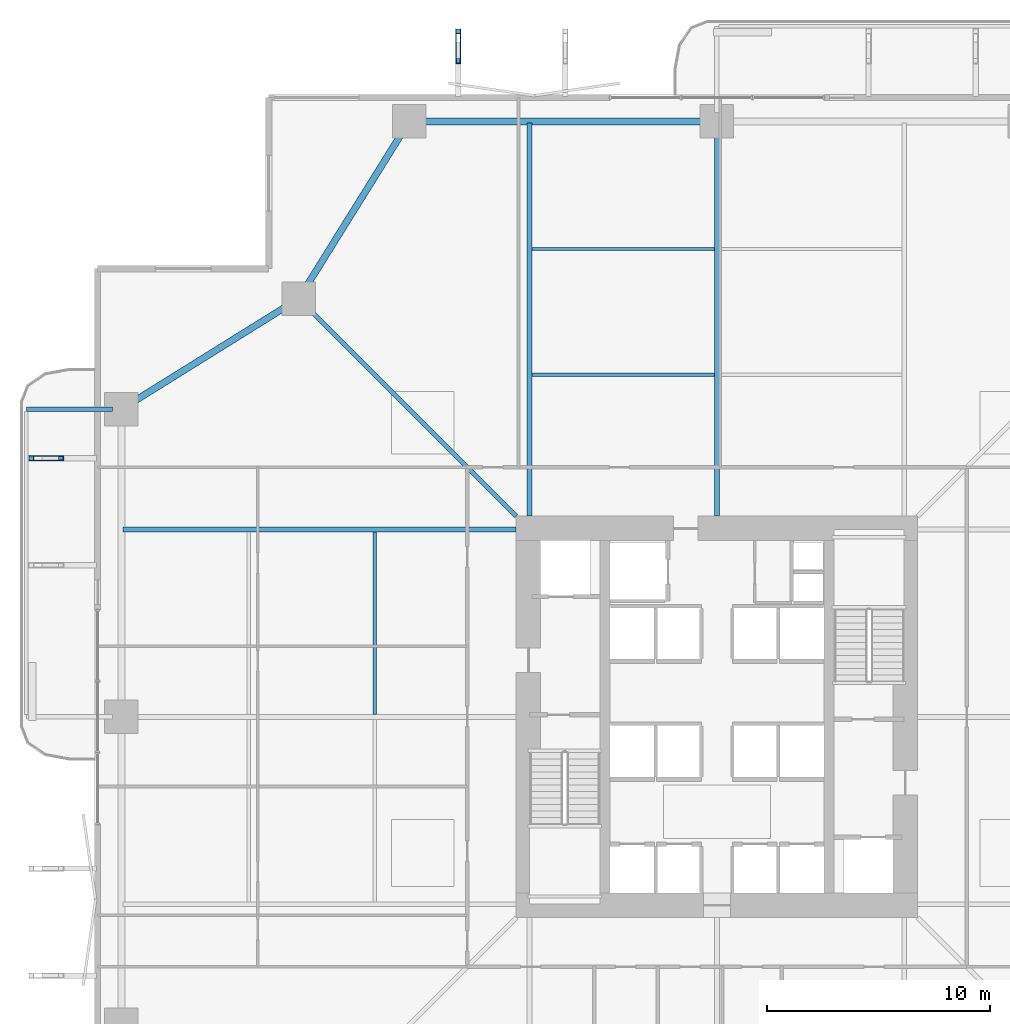
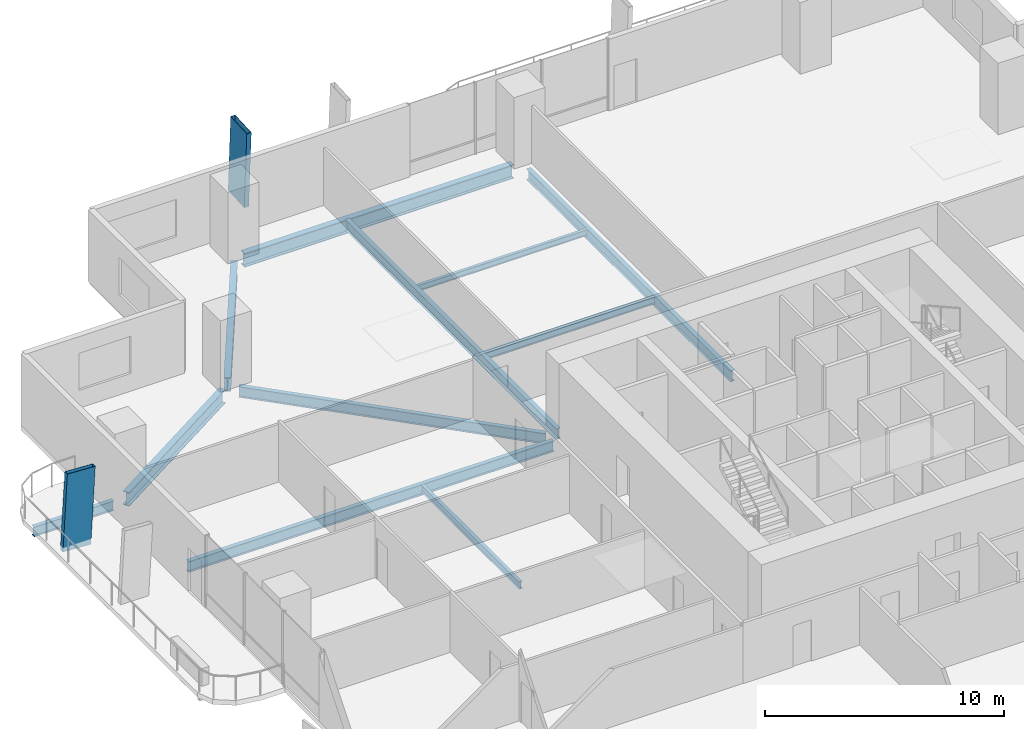
# One storey, part 10 of 23: 11 beams, 2 members.
"""IFC4 building model written with IfcOpenShell, lengths in metres."""

from ifc_helpers import new_model, si_unit, direction, frame, origin, origin_2d, place, context, subcontext, project, spatial, hollow_rectangle, i_section, extrude, material, material_profile, profile_set, type_object, element, save


model = new_model("IFC4")

# Units and contexts
model_context = context("Model", 3, precision=1e-05, world=origin(), true_north=direction((0.0, 1.0)))
body_context = subcontext(model_context, "Body", "Model", "MODEL_VIEW")
ifc_project = project(units=[si_unit("LENGTHUNIT", "METRE"), si_unit("AREAUNIT", "SQUARE_METRE"), si_unit("VOLUMEUNIT", "CUBIC_METRE"), si_unit("PLANEANGLEUNIT", "RADIAN"), si_unit("MASSUNIT", "GRAM", prefix="KILO")], contexts=[model_context])

# Site, building, storey
site_placement = place(None, origin())
site = spatial("IfcSite", under=ifc_project, at=site_placement, CompositionType="ELEMENT")
building_placement = place(site_placement, origin())
building = spatial("IfcBuilding", under=site, at=building_placement, Name="Belovzor Exchange Tower", CompositionType="ELEMENT")
storey_placement = place(building_placement, frame((0.0, 0.0, 53.39990234375)))
storey = spatial("IfcBuildingStorey", under=building, at=storey_placement, Name="L12", CompositionType="ELEMENT", Elevation=53.39990234375)

# Members
ifc_material_1 = material(Name="Extruded Architectural Terracotta on Steel S355 Carrier", Category="masonry")
ifc_material_profile_1 = material_profile(ifc_material_1, hollow_rectangle(XDim=0.219970703125, YDim=1.35009765625, WallThickness=0.013916015625, at=origin_2d()))
ifc_profile_set_1 = profile_set([ifc_material_profile_1], Name="Extruded Architectural Terracotta on Steel S355 Carrier")
member_type = type_object("IfcMemberType", Name="Base Arc Sweeping Terracotta Pylon Fin 1450", PredefinedType="USERDEFINED", material=ifc_profile_set_1)
for number, where, z_axis, x_axis, name in (
    (1, (17.199951171875, 58.97900390625, -0.25), (0.0, -0.055314244803, 0.998468995173), (1.0, 0.0, 0.0), "FIN-TC145 Terracotta Facade Fin L12 N1"),
    (2, (-1.37890625, 40.39990234375, -0.25), (0.055251933744, 0.0, 0.998472445197), (0.0, 1.0, 0.0), "FIN-TC145 Terracotta Facade Fin L12 W4"),
):
    element("IfcMember", number, at=place(storey_placement, frame(where, z_axis=z_axis, x_axis=x_axis)), inside=storey, type_object=member_type, Name=name, ObjectType="FIN", PredefinedType="USERDEFINED", context=body_context, shape_type="SweptSolid", body=[
        extrude(hollow_rectangle(XDim=0.219970703125, YDim=1.35009765625, WallThickness=0.013916015625, at=origin_2d()), origin(), (0.0, 0.0, 1.0), 3.906005859375),
    ])

# Beams
ifc_material_2 = material(Name="Steel S355", Category="steel")
ifc_material_profile_2 = material_profile(ifc_material_2, i_section(OverallWidth=0.199951171875, OverallDepth=0.5, WebThickness=0.01025390625, FlangeThickness=0.01611328125, at=origin_2d()))
ifc_profile_set_2 = profile_set([ifc_material_profile_2], Name="Steel S355")
beam_type_1 = type_object("IfcBeamType", Name="Planted Balcony Cantilever Beam IPE 500", PredefinedType="BEAM", material=ifc_profile_set_2)
beam_1_placement = place(storey_placement, frame((1.68798828125, 42.60009765625, -0.5), z_axis=(-1.0, 0.0, 0.0), x_axis=(0.0, -1.0, 0.0)))
element("IfcBeam", 3, at=beam_1_placement, inside=storey, type_object=beam_type_1, Name="BC-500 Planted Balcony Cantilever Beam IPE 500", PredefinedType="BEAM", context=body_context, shape_type="SweptSolid", body=[
    extrude(i_section(OverallWidth=0.199951171875, OverallDepth=0.5, WebThickness=0.01025390625, FlangeThickness=0.01611328125, at=origin_2d()), origin(), (0.0, 0.0, 1.0), 3.85009765625),
])
ifc_material_3 = material(Name="Steel S355", Category="steel")
ifc_material_profile_3 = material_profile(ifc_material_3, i_section(OverallWidth=0.169921875, OverallDepth=0.360107421875, WebThickness=0.008056640625, FlangeThickness=0.0126953125, at=origin_2d()))
ifc_profile_set_3 = profile_set([ifc_material_profile_3], Name="Steel S355")
beam_type_2 = type_object("IfcBeamType", Name="Secondary Infill Floor Joist IPE 360", PredefinedType="BEAM", material=ifc_profile_set_3)
beam_2_placement = place(storey_placement, frame((20.5048828125, 44.14501953125, -0.429931640625), z_axis=(1.0, 0.0, 0.0), x_axis=(0.0, 1.0, 0.0)))
element("IfcBeam", 4, at=beam_2_placement, inside=storey, type_object=beam_type_2, Name="FJ-360 Secondary Infill Floor Joist IPE 360", PredefinedType="BEAM", context=body_context, shape_type="SweptSolid", body=[
    extrude(i_section(OverallWidth=0.169921875, OverallDepth=0.360107421875, WebThickness=0.008056640625, FlangeThickness=0.0126953125, at=origin_2d()), origin(), (0.0, 0.0, 1.0), 8.190185546875),
])
beam_3_placement = place(storey_placement, frame((13.455078125, 28.905029296875, -0.429931640625), z_axis=(0.0, 1.0, 0.0), x_axis=(-1.0, 0.0, 0.0)))
element("IfcBeam", 5, at=beam_3_placement, inside=storey, type_object=beam_type_2, Name="FJ-360 Secondary Infill Floor Joist IPE 360", PredefinedType="BEAM", context=body_context, shape_type="SweptSolid", body=[
    extrude(i_section(OverallWidth=0.169921875, OverallDepth=0.360107421875, WebThickness=0.008056640625, FlangeThickness=0.0126953125, at=origin_2d()), origin(), (0.0, 0.0, 1.0), 8.18994140625),
])
ifc_material_4 = material(Name="Steel S355", Category="steel")
ifc_material_profile_4 = material_profile(ifc_material_4, i_section(OverallWidth=0.14990234375, OverallDepth=0.300048828125, WebThickness=0.007080078125, FlangeThickness=0.0107421875, at=origin_2d()))
ifc_profile_set_4 = profile_set([ifc_material_profile_4], Name="Steel S355")
beam_type_3 = type_object("IfcBeamType", Name="Secondary Trim Floor Joist IPE 300", PredefinedType="BEAM", material=ifc_profile_set_4)
beam_4_placement = place(storey_placement, frame((20.5048828125, 49.784912109375, -0.39990234375), z_axis=(1.0, 0.0, 0.0), x_axis=(0.0, 1.0, 0.0)))
element("IfcBeam", 6, at=beam_4_placement, inside=storey, type_object=beam_type_3, Name="FJ-300 Secondary Trim Floor Joist IPE 300", PredefinedType="BEAM", context=body_context, shape_type="SweptSolid", body=[
    extrude(i_section(OverallWidth=0.14990234375, OverallDepth=0.300048828125, WebThickness=0.007080078125, FlangeThickness=0.0107421875, at=origin_2d()), origin(), (0.0, 0.0, 1.0), 8.190185546875),
])
ifc_material_5 = material(Name="Steel S355", Category="steel")
ifc_material_profile_5 = material_profile(ifc_material_5, i_section(OverallWidth=0.300048828125, OverallDepth=0.699951171875, WebThickness=0.01708984375, FlangeThickness=0.031982421875, at=origin_2d()))
ifc_profile_set_5 = profile_set([ifc_material_profile_5], Name="Steel S355")
beam_type_4 = type_object("IfcBeamType", Name="Zone 1 Primary Perimeter Girder HEB 700", PredefinedType="BEAM", material=ifc_profile_set_5)
beam_5_placement = place(storey_placement, frame((28.386962890625, 55.5, -0.599853515625), z_axis=(-1.0, 0.0, 0.0), x_axis=(0.0, -1.0, 0.0)))
element("IfcBeam", 7, at=beam_5_placement, inside=storey, type_object=beam_type_4, Name="FG-Z1 Zone 1 Primary Perimeter Girder HEB 700", PredefinedType="BEAM", context=body_context, shape_type="SweptSolid", body=[
    extrude(i_section(OverallWidth=0.300048828125, OverallDepth=0.699951171875, WebThickness=0.01708984375, FlangeThickness=0.031982421875, at=origin_2d()), origin(), (0.0, 0.0, 1.0), 12.974853515625),
])
for number, where, z_axis, x_axis, name in (
    (8, (14.781982421875, 55.14990234375, -0.599853515625), (-0.528538629686, -0.848909251292, 0.0), (0.848909251292, -0.528538629686, 0.0), "FG-Z1 Zone 1 Primary Perimeter Girder HEB 700"),
    (9, (9.699951171875, 47.33203125, -0.599853515625), (-0.848909251292, -0.528538629686, 0.0), (0.528538629686, -0.848909251292, 0.0), "FG-Z1 Zone 1 Primary Perimeter Girder HEB 700"),
):
    element("IfcBeam", number, at=place(storey_placement, frame(where, z_axis=z_axis, x_axis=x_axis)), inside=storey, type_object=beam_type_4, Name=name, PredefinedType="BEAM", context=body_context, shape_type="SweptSolid", body=[
        extrude(i_section(OverallWidth=0.300048828125, OverallDepth=0.699951171875, WebThickness=0.01708984375, FlangeThickness=0.031982421875, at=origin_2d()), origin(), (0.0, 0.0, 1.0), 8.540283203125),
    ])
ifc_material_6 = material(Name="Steel S355", Category="steel")
ifc_material_profile_6 = material_profile(ifc_material_6, i_section(OverallWidth=0.2099609375, OverallDepth=0.550048828125, WebThickness=0.010986328125, FlangeThickness=0.01708984375, at=origin_2d()))
ifc_profile_set_6 = profile_set([ifc_material_profile_6], Name="Steel S355")
beam_type_5 = type_object("IfcBeamType", Name="Zone 1 Radial Composite Floor Beam IPE 550", PredefinedType="BEAM", material=ifc_profile_set_6)
beam_6_placement = place(storey_placement, frame((20.39990234375, 37.800048828125, -0.52490234375), z_axis=(0.0, 1.0, 0.0), x_axis=(-1.0, 0.0, 0.0)))
element("IfcBeam", 10, at=beam_6_placement, inside=storey, type_object=beam_type_5, Name="FB-550 Zone 1 Radial Composite Floor Beam IPE 550", PredefinedType="BEAM", context=body_context, shape_type="SweptSolid", body=[
    extrude(i_section(OverallWidth=0.2099609375, OverallDepth=0.550048828125, WebThickness=0.010986328125, FlangeThickness=0.01708984375, at=origin_2d()), origin(), (0.0, 0.0, 1.0), 17.625),
])
beam_7_placement = place(storey_placement, frame((28.800048828125, 37.800048828125, -0.52490234375), z_axis=(0.0, 1.0, 0.0), x_axis=(-1.0, 0.0, 0.0)))
element("IfcBeam", 11, at=beam_7_placement, inside=storey, type_object=beam_type_5, Name="FB-550 Zone 1 Radial Composite Floor Beam IPE 550", PredefinedType="BEAM", context=body_context, shape_type="SweptSolid", body=[
    extrude(i_section(OverallWidth=0.2099609375, OverallDepth=0.550048828125, WebThickness=0.010986328125, FlangeThickness=0.01708984375, at=origin_2d()), origin(), (0.0, 0.0, 1.0), 17.0400390625),
])
beam_8_placement = place(storey_placement, frame((19.800048828125, 37.199951171875, -0.52490234375), z_axis=(-1.0, 0.0, 0.0), x_axis=(0.0, -1.0, 0.0)))
element("IfcBeam", 12, at=beam_8_placement, inside=storey, type_object=beam_type_5, Name="FB-550 Zone 1 Radial Composite Floor Beam IPE 550", PredefinedType="BEAM", context=body_context, shape_type="SweptSolid", body=[
    extrude(i_section(OverallWidth=0.2099609375, OverallDepth=0.550048828125, WebThickness=0.010986328125, FlangeThickness=0.01708984375, at=origin_2d()), origin(), (0.0, 0.0, 1.0), 17.625),
])
beam_9_placement = place(storey_placement, frame((19.800048828125, 37.800048828125, -0.52490234375), z_axis=(-0.707106781187, 0.707106781187, 0.0), x_axis=(-0.707106781187, -0.707106781187, 0.0)))
element("IfcBeam", 13, at=beam_9_placement, inside=storey, type_object=beam_type_5, Name="FB-550 Zone 1 Radial Composite Floor Beam IPE 550", PredefinedType="BEAM", context=body_context, shape_type="SweptSolid", body=[
    extrude(i_section(OverallWidth=0.2099609375, OverallDepth=0.550048828125, WebThickness=0.010986328125, FlangeThickness=0.01708984375, at=origin_2d()), origin(), (0.0, 0.0, 1.0), 13.25830078125),
])

save(model, "model.ifc")
